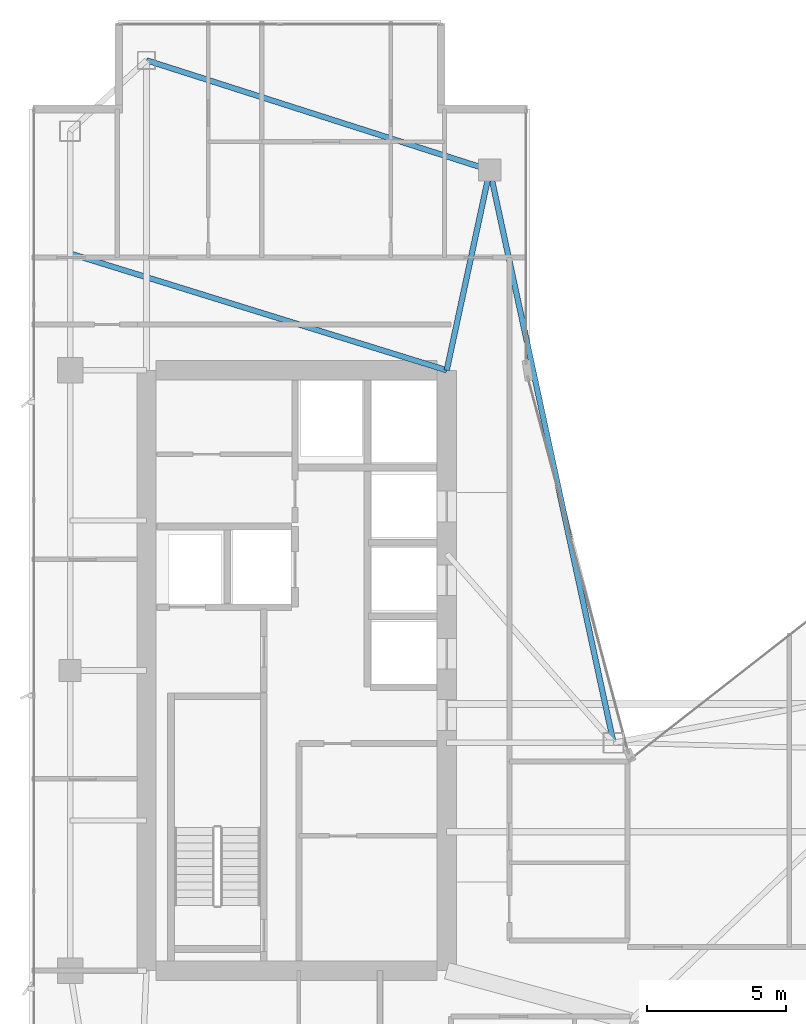
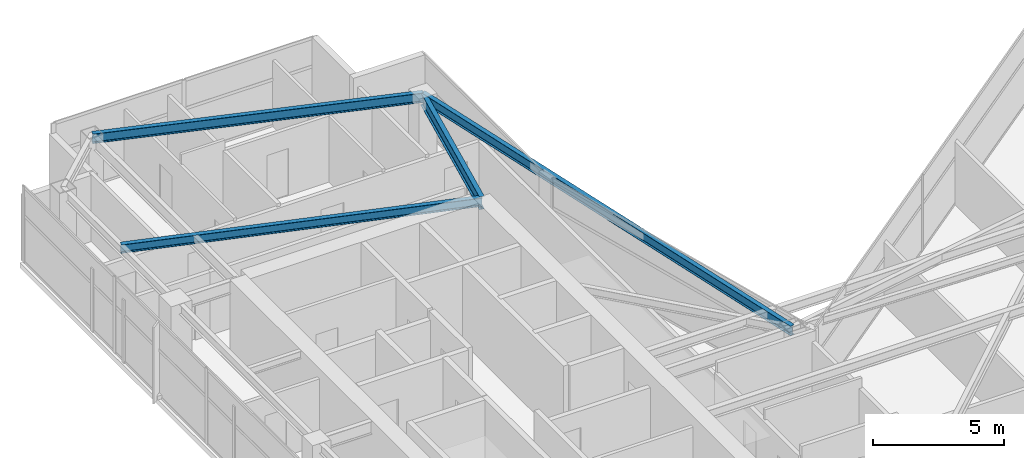
# One storey, part 19 of 30: 4 beams.
"""IFC4 building model written with IfcOpenShell, lengths in metres."""

import ifcopenshell
import ifcopenshell.guid

model = None  # the IFC model being written
_history = None  # IfcOwnerHistory: only IFC2X3 demands one
_inside = {}  # id of a spatial element -> (the spatial element, [elements in it])
_under = {}  # id of a project, library or spatial element -> (it, [spatial elements below it])
_declared = {}  # id of a project -> (the project, [libraries it declares])
_typed = {}  # id of a type object -> (the type object, [elements of that type])
_made_of = {}  # id of a material, layer set ... -> (it, [elements and type objects made of it])


def new_model(schema):
    """Start an empty IFC model of exactly this schema.

    Asked for "IFC4X3", IfcOpenShell would pick the latest addendum, in which some entities
    have other attributes; the version numbers below select the first issue.
    IFC2X3 requires an IfcOwnerHistory on every rooted entity: one is made here for all.
    """
    global model, _history
    if schema == "IFC4X3":
        model = ifcopenshell.file(schema_version=(4, 3, 0, 0))
    else:
        model = ifcopenshell.file(schema=schema)
    _inside.clear()
    _under.clear()
    _declared.clear()
    _typed.clear()
    _made_of.clear()
    _history = None
    if model.schema == "IFC2X3":
        org = make("IfcOrganization", Name="unknown")
        user = make(
            "IfcPersonAndOrganization",
            ThePerson=make("IfcPerson", FamilyName="unknown"),
            TheOrganization=org,
        )
        app = make(
            "IfcApplication",
            ApplicationDeveloper=org,
            Version="unknown",
            ApplicationFullName="unknown",
            ApplicationIdentifier="unknown",
        )
        _history = make(
            "IfcOwnerHistory",
            OwningUser=user,
            OwningApplication=app,
            ChangeAction="ADDED",
            CreationDate=0,
        )
    return model


def make(cls, **values):
    """One entity of the class cls with the attributes given. An attribute that is None is left unset."""
    return model.create_entity(
        cls, **{name: value for name, value in values.items() if value is not None}
    )


def rooted(cls, **values):
    """An entity with a GlobalId (a new one), such as an element, a storey or a relation."""
    return make(cls, GlobalId=ifcopenshell.guid.new(), OwnerHistory=_history, **values)


def si_unit(unit_type, name, prefix=None):
    """IfcSIUnit, for example si_unit("LENGTHUNIT", "METRE", prefix="MILLI")."""
    return make("IfcSIUnit", UnitType=unit_type, Prefix=prefix, Name=name)


def assignment(units):
    """IfcUnitAssignment: the units of a project."""
    return None if units is None else make("IfcUnitAssignment", Units=units)


def point(xyz):
    """IfcCartesianPoint."""
    return None if xyz is None else make("IfcCartesianPoint", Coordinates=xyz)


def direction(xyz):
    """IfcDirection."""
    return None if xyz is None else make("IfcDirection", DirectionRatios=xyz)


def frame(location, z_axis=None, x_axis=None):
    """IfcAxis2Placement3D, a coordinate frame: its origin and axes. An axis left out is left unset."""
    return make(
        "IfcAxis2Placement3D",
        Location=point(location),
        Axis=direction(z_axis),
        RefDirection=direction(x_axis),
    )


def frame_2d(location, x_axis=None):
    """IfcAxis2Placement2D, a coordinate frame in the plane: its origin and x axis."""
    return make(
        "IfcAxis2Placement2D", Location=point(location), RefDirection=direction(x_axis)
    )


def origin():
    """The frame at (0, 0, 0) with its axes left unset."""
    return frame((0.0, 0.0, 0.0))


def origin_2d():
    """The frame at (0, 0) in the plane with its x axis left unset."""
    return frame_2d((0.0, 0.0))


def place(relative_to, where):
    """IfcLocalPlacement: puts the frame where relative to a parent placement (None: the world)."""
    return make(
        "IfcLocalPlacement", PlacementRelTo=relative_to, RelativePlacement=where
    )


def context(
    kind, dimensions, precision=None, world=None, true_north=None, identifier=None
):
    """IfcGeometricRepresentationContext, for example the 3D "Model" context."""
    return make(
        "IfcGeometricRepresentationContext",
        ContextIdentifier=identifier,
        ContextType=kind,
        CoordinateSpaceDimension=dimensions,
        Precision=precision,
        WorldCoordinateSystem=world,
        TrueNorth=true_north,
    )


def subcontext(parent, identifier, kind, view, scale=None):
    """IfcGeometricRepresentationSubContext, for example "Body" below "Model"."""
    return make(
        "IfcGeometricRepresentationSubContext",
        ContextIdentifier=identifier,
        ContextType=kind,
        ParentContext=parent,
        TargetScale=scale,
        TargetView=view,
    )


def project(units=None, contexts=None):
    """IfcProject with its units and contexts."""
    return rooted(
        "IfcProject",
        Name="project",
        RepresentationContexts=contexts,
        UnitsInContext=assignment(units),
    )


def spatial(cls, under=None, at=None, **own):
    """A site, building, storey or space (cls), placed at a placement, below another one or the project."""
    s = rooted(cls, ObjectPlacement=at, **own)
    if under is not None:
        _under.setdefault(under.id(), (under, []))[1].append(s)
    return s


def profile(cls, at=None, kind="AREA", **sizes):
    """A parametric profile (cls). Its sizes go by their IFC names, for example OverallWidth=200.0."""
    return make(cls, ProfileType=kind, Position=at, **sizes)


def i_section(**sizes):
    """IfcIShapeProfileDef."""
    return profile("IfcIShapeProfileDef", **sizes)


def extrude(swept, where, along, depth):
    """IfcExtrudedAreaSolid: the profile swept, set in the frame where, extruded along a direction by depth."""
    return make(
        "IfcExtrudedAreaSolid",
        SweptArea=swept,
        Position=where,
        ExtrudedDirection=direction(along),
        Depth=depth,
    )


def shape(context_of_items, identifier, shape_type, items):
    """IfcShapeRepresentation: the items that make up one representation, for example the "Body"."""
    return make(
        "IfcShapeRepresentation",
        ContextOfItems=context_of_items,
        RepresentationIdentifier=identifier,
        RepresentationType=shape_type,
        Items=items,
    )


def material(Name=None, Category=None):
    """IfcMaterial."""
    return make("IfcMaterial", Name=Name, Category=Category)


def material_profile(
    of_material, cross_section, Name=None, Category=None, Priority=None
):
    """IfcMaterialProfile: a cross section and its material."""
    return make(
        "IfcMaterialProfile",
        Name=Name,
        Material=of_material,
        Profile=cross_section,
        Priority=Priority,
        Category=Category,
    )


def profile_set(profiles, Name=None, composite=None):
    """IfcMaterialProfileSet."""
    return make(
        "IfcMaterialProfileSet",
        Name=Name,
        MaterialProfiles=profiles,
        CompositeProfile=composite,
    )


def made_of(thing, what):
    """Note that an element or type object is made of a material, layer set ...; save() writes the relation."""
    if what is not None:
        _made_of.setdefault(what.id(), (what, []))[1].append(thing)
    return thing


def type_object(cls, material=None, **own):
    """A type object (cls), such as IfcWallType, which elements share."""
    return made_of(rooted(cls, **own), material)


def element(
    cls,
    number,
    at=None,
    inside=None,
    cuts=None,
    type_object=None,
    material=None,
    context=None,
    identifier="Body",
    shape_type=None,
    held_by="IfcProductDefinitionShape",
    body=None,
    shapes=None,
    **own,
):
    """One element of the class cls, such as IfcWall. Its Tag is "e" and its number.

    at: its placement. inside: the storey or other place that contains it. cuts: it is an
    opening in that element (IfcRelVoidsElement). A single representation is given by context,
    identifier, shape_type and body (its items); several are given by shapes. held_by: the class
    of the entity that holds the representations. save() writes the other relations.
    """
    e = rooted(cls, Tag="e%d" % number, ObjectPlacement=at, **own)
    if body is not None:
        shapes = [shape(context, identifier, shape_type, body)]
    if shapes is not None:
        e.Representation = make(held_by, Representations=shapes)
    if inside is not None:
        _inside.setdefault(inside.id(), (inside, []))[1].append(e)
    if cuts is not None:
        rooted(
            "IfcRelVoidsElement", RelatingBuildingElement=cuts, RelatedOpeningElement=e
        )
    if type_object is not None:
        _typed.setdefault(type_object.id(), (type_object, []))[1].append(e)
    return made_of(e, material)


def aggregate(whole, parts):
    """IfcRelAggregates: a whole, such as a stair, and the parts it consists of."""
    return rooted("IfcRelAggregates", RelatingObject=whole, RelatedObjects=parts)


def save(model, path):
    """Write the relations noted so far, then the file.

    IfcRelAggregates (storeys below a building ...), IfcRelContainedInSpatialStructure (elements
    in a storey), IfcRelDefinesByType, IfcRelAssociatesMaterial and IfcRelDeclares: one each for
    every whole, place, type object, material and project.
    """
    for whole, parts in _under.values():
        aggregate(whole, parts)
    for where, things in _inside.values():
        rooted(
            "IfcRelContainedInSpatialStructure",
            RelatedElements=things,
            RelatingStructure=where,
        )
    for kind, things in _typed.values():
        rooted("IfcRelDefinesByType", RelatedObjects=things, RelatingType=kind)
    for what, things in _made_of.values():
        rooted("IfcRelAssociatesMaterial", RelatedObjects=things, RelatingMaterial=what)
    for by, libraries in _declared.values():
        rooted("IfcRelDeclares", RelatingContext=by, RelatedDefinitions=libraries)
    model.write(path)


model = new_model("IFC4")

# Units and contexts
model_context = context("Model", 3, precision=1e-05, world=origin(), true_north=direction((0.0, 1.0)))
body_context = subcontext(model_context, "Body", "Model", "MODEL_VIEW")
ifc_project = project(units=[si_unit("LENGTHUNIT", "METRE"), si_unit("AREAUNIT", "SQUARE_METRE"), si_unit("VOLUMEUNIT", "CUBIC_METRE"), si_unit("PLANEANGLEUNIT", "RADIAN"), si_unit("MASSUNIT", "GRAM", prefix="KILO")], contexts=[model_context])

# Site, building, storey
site_placement = place(None, origin())
site = spatial("IfcSite", under=ifc_project, at=site_placement, CompositionType="ELEMENT")
building_placement = place(site_placement, origin())
building = spatial("IfcBuilding", under=site, at=building_placement, Name="Calvorn Quay Hotel", CompositionType="ELEMENT")
storey_placement = place(building_placement, frame((0.0, 0.0, 203.39990234375)))
storey = spatial("IfcBuildingStorey", under=building, at=storey_placement, Name="L50", CompositionType="ELEMENT", Elevation=203.39990234375)

# Beams
ifc_material_1 = material(Name="Steel Q355B", Category="steel")
ifc_material_profile_1 = material_profile(ifc_material_1, i_section(OverallWidth=0.199951171875, OverallDepth=0.60009765625, WebThickness=0.010986328125, FlangeThickness=0.01708984375, FilletRadius=0.01806640625, at=origin_2d()), Name="HN600x200x11x17")
ifc_profile_set_1 = profile_set([ifc_material_profile_1], Name="Steel Q355B")
beam_type_1 = type_object("IfcBeamType", Name="BM-GIRD-TYP", PredefinedType="BEAM", material=ifc_profile_set_1)
beam_1_placement = place(storey_placement, frame((16.550048828125, 45.60009765625, 3.239990234375), z_axis=(-0.210457140491, -0.97760308511, 0.0), x_axis=(0.97760308511, -0.210457140491, 0.0)))
element("IfcBeam", 1, at=beam_1_placement, inside=storey, type_object=beam_type_1, Name="Beam BG-L50-W6", PredefinedType="BEAM", context=body_context, shape_type="SweptSolid", body=[
    extrude(i_section(OverallWidth=0.199951171875, OverallDepth=0.60009765625, WebThickness=0.010986328125, FlangeThickness=0.01708984375, FilletRadius=0.01806640625, at=origin_2d()), origin(), (0.0, 0.0, 1.0), 7.365234375),
])
ifc_material_2 = material(Name="Steel Q355B", Category="steel")
ifc_material_profile_2 = material_profile(ifc_material_2, i_section(OverallWidth=0.199951171875, OverallDepth=0.39990234375, WebThickness=0.008056640625, FlangeThickness=0.012939453125, FilletRadius=0.01611328125, at=origin_2d()), Name="HN400x200x8x13")
ifc_profile_set_2 = profile_set([ifc_material_profile_2], Name="Steel Q355B")
beam_type_2 = type_object("IfcBeamType", Name="BM-JOIST-TYP", PredefinedType="JOIST", material=ifc_profile_set_2)
beam_2_placement = place(storey_placement, frame((1.449951171875, 42.60009765625, 3.340087890625), z_axis=(0.955163702122, -0.296078202759, 0.0), x_axis=(0.296078202759, 0.955163702122, 0.0)))
element("IfcBeam", 2, at=beam_2_placement, inside=storey, type_object=beam_type_2, Name="Beam BJ-L50-W2", PredefinedType="JOIST", context=body_context, shape_type="SweptSolid", body=[
    extrude(i_section(OverallWidth=0.199951171875, OverallDepth=0.39990234375, WebThickness=0.008056640625, FlangeThickness=0.012939453125, FilletRadius=0.01611328125, at=origin_2d()), origin(), (0.0, 0.0, 1.0), 14.18603515625),
])
ifc_material_3 = material(Name="Steel Q355B", Category="steel")
ifc_material_profile_3 = material_profile(ifc_material_3, i_section(OverallWidth=0.199951171875, OverallDepth=0.449951171875, WebThickness=0.009033203125, FlangeThickness=0.013916015625, FilletRadius=0.01611328125, at=origin_2d()), Name="HN450x200x9x14")
ifc_profile_set_3 = profile_set([ifc_material_profile_3], Name="Steel Q355B")
beam_type_3 = type_object("IfcBeamType", Name="BM-SPANDREL-Z3", PredefinedType="SPANDREL", material=ifc_profile_set_3)
beam_3_placement = place(storey_placement, frame((4.199951171875, 49.550048828125, 3.315185546875), z_axis=(0.952470702374, -0.304630203885, 0.0), x_axis=(0.304630203885, 0.952470702374, 0.0)))
element("IfcBeam", 3, at=beam_3_placement, inside=storey, type_object=beam_type_3, Name="Beam BSP-L50-W6", PredefinedType="SPANDREL", context=body_context, shape_type="SweptSolid", body=[
    extrude(i_section(OverallWidth=0.199951171875, OverallDepth=0.449951171875, WebThickness=0.009033203125, FlangeThickness=0.013916015625, FilletRadius=0.01611328125, at=origin_2d()), origin(), (0.0, 0.0, 1.0), 12.96630859375),
])
beam_4_placement = place(storey_placement, frame((16.550048828125, 45.60009765625, 3.315185546875), z_axis=(0.211145848376, -0.977454567084, 0.0), x_axis=(0.977454567084, 0.211145848376, 0.0)))
element("IfcBeam", 4, at=beam_4_placement, inside=storey, type_object=beam_type_3, Name="Beam BSP-L50-W7", PredefinedType="SPANDREL", context=body_context, shape_type="SweptSolid", body=[
    extrude(i_section(OverallWidth=0.199951171875, OverallDepth=0.449951171875, WebThickness=0.009033203125, FlangeThickness=0.013916015625, FilletRadius=0.01611328125, at=origin_2d()), origin(), (0.0, 0.0, 1.0), 21.0751953125),
])

save(model, "model.ifc")
